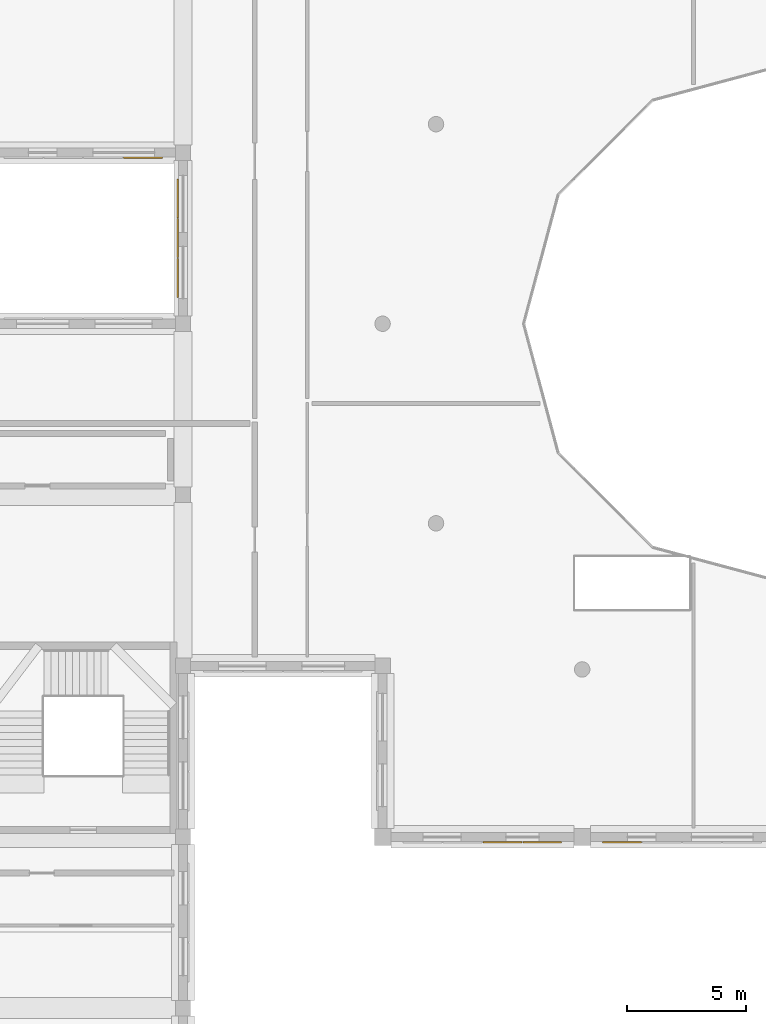
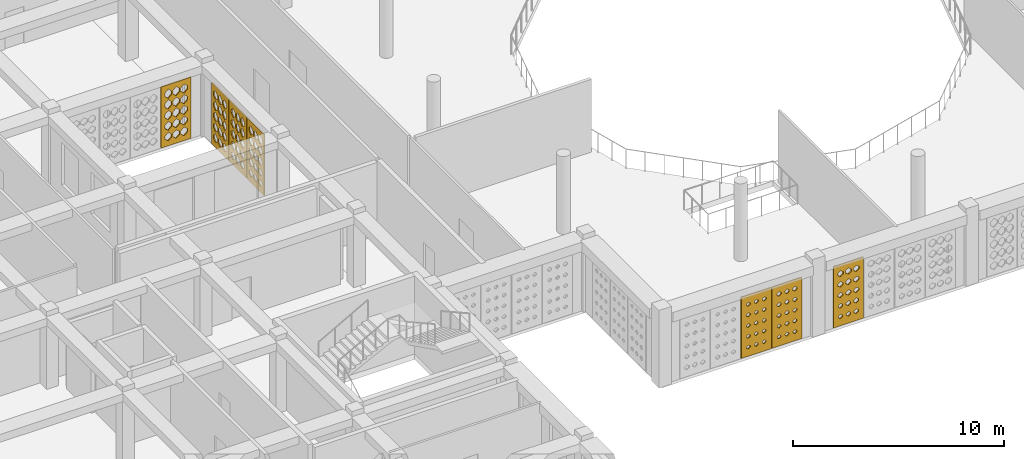
# One storey, part 34 of 47: 7 coverings.
"""IFC4 building model written with IfcOpenShell, lengths in metres."""

from ifc_helpers import new_model, si_unit, derived_unit, direction, frame, origin, place, context, subcontext, project, spatial, polyline, outline, extrude, material, layer, layer_set, type_object, element, save


model = new_model("IFC4")

# Units and contexts
model_context = context("Model", 3, precision=1e-05, world=origin(), true_north=direction((0.0, 1.0)))
body_context = subcontext(model_context, "Body", "Model", "MODEL_VIEW")
ifc_project = project(units=[si_unit("LENGTHUNIT", "METRE"), si_unit("AREAUNIT", "SQUARE_METRE"), si_unit("VOLUMEUNIT", "CUBIC_METRE"), si_unit("PLANEANGLEUNIT", "RADIAN"), si_unit("MASSUNIT", "GRAM", prefix="KILO"), derived_unit("THERMALTRANSMITTANCEUNIT", [(si_unit("POWERUNIT", "WATT"), 1), (si_unit("LENGTHUNIT", "METRE"), -2), (si_unit("THERMODYNAMICTEMPERATUREUNIT", "KELVIN"), -1)])], contexts=[model_context])

# Site, building, storey
site_placement = place(None, origin())
site = spatial("IfcSite", under=ifc_project, at=site_placement, CompositionType="ELEMENT")
building_placement = place(site_placement, origin())
building = spatial("IfcBuilding", under=site, at=building_placement, Name="Veybourne Emporium", CompositionType="ELEMENT")
storey_placement = place(building_placement, frame((0.0, 0.0, 23.39990234375)))
storey = spatial("IfcBuildingStorey", under=building, at=storey_placement, Name="L05", CompositionType="ELEMENT", Elevation=23.39990234375)

# Coverings
ifc_material = material(Name="Warm-White Perforated Aluminium Screen Alloy", Category="aluminium")
ifc_layer_1 = layer(ifc_material, 0.06005859375)
ifc_layer_set_1 = layer_set([ifc_layer_1], Name="Warm-White Perforated Aluminium Screen Alloy")
covering_type_1 = type_object("IfcCoveringType", Name="WaveScreen_SCR-01", PredefinedType="CLADDING", material=ifc_layer_set_1)
covering_1_placement = place(storey_placement, frame((50.15185546875, 55.679931640625, 1.830078125), z_axis=(1.0, 0.0, 0.0), x_axis=(0.0, 1.0, 0.0)))
element("IfcCovering", 1, at=covering_1_placement, inside=storey, type_object=covering_type_1, Name="L05 wave-perforated aluminium screen SCR-01 (36.3)", PredefinedType="CLADDING", context=body_context, shape_type="SweptSolid", body=[
    extrude(outline(polyline([(-0.81982421875, -1.77001953125), (0.81982421875, -1.77001953125), (0.81982421875, 1.77001953125), (-0.81982421875, 1.77001953125), (-0.81982421875, -1.77001953125)]), holes=[polyline([(-0.433349609375, -1.003662109375), (-0.2470703125, -1.15478515625), (-0.2470703125, -1.3251953125), (-0.433349609375, -1.476318359375), (-0.61962890625, -1.3251953125), (-0.61962890625, -1.15478515625), (-0.433349609375, -1.003662109375)]), polyline([(-0.433349609375, -0.372314453125), (-0.2470703125, -0.53076171875), (-0.2470703125, -0.709228515625), (-0.433349609375, -0.867919921875), (-0.61962890625, -0.709228515625), (-0.61962890625, -0.53076171875), (-0.433349609375, -0.372314453125)]), polyline([(-0.433349609375, 0.257568359375), (-0.2470703125, 0.0927734375), (-0.2470703125, -0.0927734375), (-0.433349609375, -0.257568359375), (-0.61962890625, -0.0927734375), (-0.61962890625, 0.0927734375), (-0.433349609375, 0.257568359375)]), polyline([(-0.433349609375, 0.885498046875), (-0.2470703125, 0.715576171875), (-0.2470703125, 0.5244140625), (-0.433349609375, 0.3544921875), (-0.61962890625, 0.5244140625), (-0.61962890625, 0.715576171875), (-0.433349609375, 0.885498046875)]), polyline([(-0.433349609375, 1.506591796875), (-0.2470703125, 1.3359375), (-0.2470703125, 1.14404296875), (-0.433349609375, 0.973388671875), (-0.61962890625, 1.14404296875), (-0.61962890625, 1.3359375), (-0.433349609375, 1.506591796875)]), polyline([(0.0, -0.998291015625), (0.186279296875, -1.153076171875), (0.186279296875, -1.326904296875), (0.0, -1.481689453125), (-0.186279296875, -1.326904296875), (-0.186279296875, -1.153076171875), (0.0, -0.998291015625)]), polyline([(0.0, -0.36767578125), (0.186279296875, -0.529052734375), (0.186279296875, -0.7109375), (0.0, -0.872314453125), (-0.186279296875, -0.7109375), (-0.186279296875, -0.529052734375), (0.0, -0.36767578125)]), polyline([(0.0, 0.26123046875), (0.186279296875, 0.093994140625), (0.186279296875, -0.093994140625), (0.0, -0.26123046875), (-0.186279296875, -0.093994140625), (-0.186279296875, 0.093994140625), (0.0, 0.26123046875)]), polyline([(0.0, 0.88671875), (0.186279296875, 0.716064453125), (0.186279296875, 0.52392578125), (0.0, 0.353515625), (-0.186279296875, 0.52392578125), (-0.186279296875, 0.716064453125), (0.0, 0.88671875)]), polyline([(0.0, 1.506591796875), (0.186279296875, 1.3359375), (0.186279296875, 1.14404296875), (0.0, 0.973388671875), (-0.186279296875, 1.14404296875), (-0.186279296875, 1.3359375), (0.0, 1.506591796875)]), polyline([(0.433349609375, -0.9931640625), (0.61962890625, -1.151123046875), (0.61962890625, -1.328857421875), (0.433349609375, -1.48681640625), (0.2470703125, -1.328857421875), (0.2470703125, -1.151123046875), (0.433349609375, -0.9931640625)]), polyline([(0.433349609375, -0.36328125), (0.61962890625, -0.527587890625), (0.61962890625, -0.71240234375), (0.433349609375, -0.876708984375), (0.2470703125, -0.71240234375), (0.2470703125, -0.527587890625), (0.433349609375, -0.36328125)]), polyline([(0.433349609375, 0.2646484375), (0.61962890625, 0.09521484375), (0.61962890625, -0.09521484375), (0.433349609375, -0.2646484375), (0.2470703125, -0.09521484375), (0.2470703125, 0.09521484375), (0.433349609375, 0.2646484375)]), polyline([(0.433349609375, 0.88671875), (0.61962890625, 0.716064453125), (0.61962890625, 0.52392578125), (0.433349609375, 0.353515625), (0.2470703125, 0.52392578125), (0.2470703125, 0.716064453125), (0.433349609375, 0.88671875)]), polyline([(0.433349609375, 1.506591796875), (0.61962890625, 1.3359375), (0.61962890625, 1.14404296875), (0.433349609375, 0.973388671875), (0.2470703125, 1.14404296875), (0.2470703125, 1.3359375), (0.433349609375, 1.506591796875)])]), origin(), (0.0, 0.0, 1.0), 0.06005859375),
])
covering_2_placement = place(storey_placement, frame((65.52001953125, 28.552001953125, 1.830078125), z_axis=(0.0, 1.0, 0.0), x_axis=(-1.0, 0.0, 0.0)))
element("IfcCovering", 2, at=covering_2_placement, inside=storey, type_object=covering_type_1, Name="L05 wave-perforated aluminium screen SCR-01 (38.1)", PredefinedType="CLADDING", context=body_context, shape_type="SweptSolid", body=[
    extrude(outline(polyline([(-0.81982421875, -1.77001953125), (0.81982421875, -1.77001953125), (0.81982421875, 1.77001953125), (-0.81982421875, 1.77001953125), (-0.81982421875, -1.77001953125)]), holes=[polyline([(-0.433349609375, -1.12890625), (-0.332275390625, -1.199951171875), (-0.332275390625, -1.280029296875), (-0.433349609375, -1.351318359375), (-0.5341796875, -1.280029296875), (-0.5341796875, -1.199951171875), (-0.433349609375, -1.12890625)]), polyline([(-0.433349609375, -0.505126953125), (-0.329345703125, -0.57861328125), (-0.329345703125, -0.661376953125), (-0.433349609375, -0.73486328125), (-0.537353515625, -0.661376953125), (-0.537353515625, -0.57861328125), (-0.433349609375, -0.505126953125)]), polyline([(-0.433349609375, 0.120849609375), (-0.324462890625, 0.04345703125), (-0.324462890625, -0.04345703125), (-0.433349609375, -0.120849609375), (-0.542236328125, -0.04345703125), (-0.542236328125, 0.04345703125), (-0.433349609375, 0.120849609375)]), polyline([(-0.433349609375, 0.7490234375), (-0.31787109375, 0.66650390625), (-0.31787109375, 0.573486328125), (-0.433349609375, 0.490966796875), (-0.548828125, 0.573486328125), (-0.548828125, 0.66650390625), (-0.433349609375, 0.7490234375)]), polyline([(-0.433349609375, 1.379150390625), (-0.3095703125, 1.2900390625), (-0.3095703125, 1.18994140625), (-0.433349609375, 1.100830078125), (-0.55712890625, 1.18994140625), (-0.55712890625, 1.2900390625), (-0.433349609375, 1.379150390625)]), polyline([(0.0, -1.129638671875), (0.100341796875, -1.2001953125), (0.100341796875, -1.27978515625), (0.0, -1.350341796875), (-0.100341796875, -1.27978515625), (-0.100341796875, -1.2001953125), (0.0, -1.129638671875)]), polyline([(0.0, -0.507080078125), (0.102294921875, -0.579345703125), (0.102294921875, -0.66064453125), (0.0, -0.73291015625), (-0.102294921875, -0.66064453125), (-0.102294921875, -0.579345703125), (0.0, -0.507080078125)]), polyline([(0.0, 0.117919921875), (0.1064453125, 0.04248046875), (0.1064453125, -0.04248046875), (0.0, -0.117919921875), (-0.1064453125, -0.04248046875), (-0.1064453125, 0.04248046875), (0.0, 0.117919921875)]), polyline([(0.0, 0.7451171875), (0.1123046875, 0.6650390625), (0.1123046875, 0.574951171875), (0.0, 0.494873046875), (-0.1123046875, 0.574951171875), (-0.1123046875, 0.6650390625), (0.0, 0.7451171875)]), polyline([(0.0, 1.374267578125), (0.119873046875, 1.288330078125), (0.119873046875, 1.191650390625), (0.0, 1.105712890625), (-0.119873046875, 1.191650390625), (-0.119873046875, 1.288330078125), (0.0, 1.374267578125)]), polyline([(0.433349609375, -1.1298828125), (0.533203125, -1.200439453125), (0.533203125, -1.279541015625), (0.433349609375, -1.35009765625), (0.333251953125, -1.279541015625), (0.333251953125, -1.200439453125), (0.433349609375, -1.1298828125)]), polyline([(0.433349609375, -0.508544921875), (0.534423828125, -0.579833984375), (0.534423828125, -0.66015625), (0.433349609375, -0.7314453125), (0.33203125, -0.66015625), (0.33203125, -0.579833984375), (0.433349609375, -0.508544921875)]), polyline([(0.433349609375, 0.115478515625), (0.53759765625, 0.04150390625), (0.53759765625, -0.04150390625), (0.433349609375, -0.115478515625), (0.328857421875, -0.04150390625), (0.328857421875, 0.04150390625), (0.433349609375, 0.115478515625)]), polyline([(0.433349609375, 0.74169921875), (0.542724609375, 0.663818359375), (0.542724609375, 0.576171875), (0.433349609375, 0.498291015625), (0.323974609375, 0.576171875), (0.323974609375, 0.663818359375), (0.433349609375, 0.74169921875)]), polyline([(0.433349609375, 1.369873046875), (0.549560546875, 1.286865234375), (0.549560546875, 1.193115234375), (0.433349609375, 1.110107421875), (0.31689453125, 1.193115234375), (0.31689453125, 1.286865234375), (0.433349609375, 1.369873046875)])]), origin(), (0.0, 0.0, 1.0), 0.06005859375),
])
ifc_layer_2 = layer(ifc_material, 0.06005859375)
ifc_layer_set_2 = layer_set([ifc_layer_2], Name="Warm-White Perforated Aluminium Screen Alloy")
covering_type_2 = type_object("IfcCoveringType", Name="WaveScreen_SCR-02", PredefinedType="CLADDING", material=ifc_layer_set_2)
covering_3_placement = place(storey_placement, frame((63.840087890625, 28.552001953125, 1.830078125), z_axis=(0.0, 1.0, 0.0), x_axis=(-1.0, 0.0, 0.0)))
element("IfcCovering", 3, at=covering_3_placement, inside=storey, type_object=covering_type_2, Name="L05 wave-perforated aluminium screen SCR-02 (38.2)", PredefinedType="CLADDING", context=body_context, shape_type="SweptSolid", body=[
    extrude(outline(polyline([(-0.81982421875, -1.77001953125), (0.81982421875, -1.77001953125), (0.81982421875, 1.77001953125), (-0.81982421875, 1.77001953125), (-0.81982421875, -1.77001953125)]), holes=[polyline([(-0.433349609375, -1.12939453125), (-0.332763671875, -1.2001953125), (-0.332763671875, -1.27978515625), (-0.433349609375, -1.3505859375), (-0.533935546875, -1.27978515625), (-0.533935546875, -1.2001953125), (-0.433349609375, -1.12939453125)]), polyline([(-0.433349609375, -0.510009765625), (-0.333251953125, -0.580322265625), (-0.333251953125, -0.65966796875), (-0.433349609375, -0.72998046875), (-0.533447265625, -0.65966796875), (-0.533447265625, -0.580322265625), (-0.433349609375, -0.510009765625)]), polyline([(-0.433349609375, 0.11181640625), (-0.331787109375, 0.040283203125), (-0.331787109375, -0.040283203125), (-0.433349609375, -0.11181640625), (-0.534912109375, -0.040283203125), (-0.534912109375, 0.040283203125), (-0.433349609375, 0.11181640625)]), polyline([(-0.433349609375, 0.736083984375), (-0.328369140625, 0.661865234375), (-0.328369140625, 0.578125), (-0.433349609375, 0.50390625), (-0.538330078125, 0.578125), (-0.538330078125, 0.661865234375), (-0.433349609375, 0.736083984375)]), polyline([(-0.433349609375, 1.36279296875), (-0.322998046875, 1.2841796875), (-0.322998046875, 1.19580078125), (-0.433349609375, 1.1171875), (-0.543701171875, 1.19580078125), (-0.543701171875, 1.2841796875), (-0.433349609375, 1.36279296875)]), polyline([(0.0, -1.128173828125), (0.1015625, -1.19970703125), (0.1015625, -1.2802734375), (0.0, -1.351806640625), (-0.1015625, -1.2802734375), (-0.1015625, -1.19970703125), (0.0, -1.128173828125)]), polyline([(0.0, -0.510009765625), (0.10009765625, -0.580322265625), (0.10009765625, -0.65966796875), (0.0, -0.72998046875), (-0.10009765625, -0.65966796875), (-0.10009765625, -0.580322265625), (0.0, -0.510009765625)]), polyline([(0.0, 0.11083984375), (0.1005859375, 0.039794921875), (0.1005859375, -0.039794921875), (0.0, -0.11083984375), (-0.1005859375, -0.039794921875), (-0.1005859375, 0.039794921875), (0.0, 0.11083984375)]), polyline([(0.0, 0.73388671875), (0.103271484375, 0.660888671875), (0.103271484375, 0.5791015625), (0.0, 0.506103515625), (-0.103271484375, 0.5791015625), (-0.103271484375, 0.660888671875), (0.0, 0.73388671875)]), polyline([(0.0, 1.359619140625), (0.10791015625, 1.282958984375), (0.10791015625, 1.197021484375), (0.0, 1.12060546875), (-0.10791015625, 1.197021484375), (-0.10791015625, 1.282958984375), (0.0, 1.359619140625)]), polyline([(0.433349609375, -1.126708984375), (0.5361328125, -1.19921875), (0.5361328125, -1.28076171875), (0.433349609375, -1.353515625), (0.33056640625, -1.28076171875), (0.33056640625, -1.19921875), (0.433349609375, -1.126708984375)]), polyline([(0.433349609375, -0.509521484375), (0.53369140625, -0.580078125), (0.53369140625, -0.659912109375), (0.433349609375, -0.73046875), (0.3330078125, -0.659912109375), (0.3330078125, -0.580078125), (0.433349609375, -0.509521484375)]), polyline([(0.433349609375, 0.110107421875), (0.533447265625, 0.039794921875), (0.533447265625, -0.039794921875), (0.433349609375, -0.110107421875), (0.333251953125, -0.039794921875), (0.333251953125, 0.039794921875), (0.433349609375, 0.110107421875)]), polyline([(0.433349609375, 0.732177734375), (0.53515625, 0.660400390625), (0.53515625, 0.57958984375), (0.433349609375, 0.5078125), (0.33154296875, 0.57958984375), (0.33154296875, 0.660400390625), (0.433349609375, 0.732177734375)]), polyline([(0.433349609375, 1.356689453125), (0.538818359375, 1.281982421875), (0.538818359375, 1.197998046875), (0.433349609375, 1.123291015625), (0.327880859375, 1.197998046875), (0.327880859375, 1.281982421875), (0.433349609375, 1.356689453125)])]), origin(), (0.0, 0.0, 1.0), 0.06005859375),
])
ifc_layer_3 = layer(ifc_material, 0.06005859375)
ifc_layer_set_3 = layer_set([ifc_layer_3], Name="Warm-White Perforated Aluminium Screen Alloy")
covering_type_3 = type_object("IfcCoveringType", Name="WaveScreen_SCR-03", PredefinedType="CLADDING", material=ifc_layer_set_3)
covering_4_placement = place(storey_placement, frame((50.15185546875, 52.320068359375, 1.830078125), z_axis=(1.0, 0.0, 0.0), x_axis=(0.0, 1.0, 0.0)))
element("IfcCovering", 4, at=covering_4_placement, inside=storey, type_object=covering_type_3, Name="L05 wave-perforated aluminium screen SCR-03 (36.1)", PredefinedType="CLADDING", context=body_context, shape_type="SweptSolid", body=[
    extrude(outline(polyline([(-0.81982421875, -1.77001953125), (0.81982421875, -1.77001953125), (0.81982421875, 1.77001953125), (-0.81982421875, 1.77001953125), (-0.81982421875, -1.77001953125)]), holes=[polyline([(-0.433349609375, -1.051025390625), (-0.268798828125, -1.172119140625), (-0.268798828125, -1.30810546875), (-0.433349609375, -1.428955078125), (-0.597900390625, -1.30810546875), (-0.597900390625, -1.172119140625), (-0.433349609375, -1.051025390625)]), polyline([(-0.433349609375, -0.416748046875), (-0.257080078125, -0.546875), (-0.257080078125, -0.693115234375), (-0.433349609375, -0.8232421875), (-0.609619140625, -0.693115234375), (-0.609619140625, -0.546875), (-0.433349609375, -0.416748046875)]), polyline([(-0.433349609375, 0.21728515625), (-0.2470703125, 0.078125), (-0.2470703125, -0.078125), (-0.433349609375, -0.21728515625), (-0.61962890625, -0.078125), (-0.61962890625, 0.078125), (-0.433349609375, 0.21728515625)]), polyline([(-0.433349609375, 0.850341796875), (-0.2470703125, 0.702880859375), (-0.2470703125, 0.537109375), (-0.433349609375, 0.3896484375), (-0.61962890625, 0.537109375), (-0.61962890625, 0.702880859375), (-0.433349609375, 0.850341796875)]), polyline([(-0.433349609375, 1.482421875), (-0.2470703125, 1.327392578125), (-0.2470703125, 1.152587890625), (-0.433349609375, 0.99755859375), (-0.61962890625, 1.152587890625), (-0.61962890625, 1.327392578125), (-0.433349609375, 1.482421875)]), polyline([(0.0, -1.044677734375), (0.169921875, -1.169677734375), (0.169921875, -1.310302734375), (0.0, -1.435302734375), (-0.169921875, -1.310302734375), (-0.169921875, -1.169677734375), (0.0, -1.044677734375)]), polyline([(0.0, -0.410400390625), (0.181396484375, -0.544677734375), (0.181396484375, -0.6953125), (0.0, -0.82958984375), (-0.181396484375, -0.6953125), (-0.181396484375, -0.544677734375), (0.0, -0.410400390625)]), polyline([(0.0, 0.223388671875), (0.186279296875, 0.080322265625), (0.186279296875, -0.080322265625), (0.0, -0.223388671875), (-0.186279296875, -0.080322265625), (-0.186279296875, 0.080322265625), (0.0, 0.223388671875)]), polyline([(0.0, 0.85595703125), (0.186279296875, 0.705078125), (0.186279296875, 0.534912109375), (0.0, 0.384033203125), (-0.186279296875, 0.534912109375), (-0.186279296875, 0.705078125), (0.0, 0.85595703125)]), polyline([(0.0, 1.487548828125), (0.186279296875, 1.3291015625), (0.186279296875, 1.15087890625), (0.0, 0.992431640625), (-0.186279296875, 1.15087890625), (-0.186279296875, 1.3291015625), (0.0, 1.487548828125)]), polyline([(0.433349609375, -1.0380859375), (0.6083984375, -1.16748046875), (0.6083984375, -1.3125), (0.433349609375, -1.44189453125), (0.25830078125, -1.3125), (0.25830078125, -1.16748046875), (0.433349609375, -1.0380859375)]), polyline([(0.433349609375, -0.404296875), (0.61962890625, -0.542236328125), (0.61962890625, -0.69775390625), (0.433349609375, -0.835693359375), (0.2470703125, -0.69775390625), (0.2470703125, -0.542236328125), (0.433349609375, -0.404296875)]), polyline([(0.433349609375, 0.22900390625), (0.61962890625, 0.08251953125), (0.61962890625, -0.08251953125), (0.433349609375, -0.22900390625), (0.2470703125, -0.08251953125), (0.2470703125, 0.08251953125), (0.433349609375, 0.22900390625)]), polyline([(0.433349609375, 0.861328125), (0.61962890625, 0.706787109375), (0.61962890625, 0.533203125), (0.433349609375, 0.378662109375), (0.2470703125, 0.533203125), (0.2470703125, 0.706787109375), (0.433349609375, 0.861328125)]), polyline([(0.433349609375, 1.4921875), (0.61962890625, 1.330810546875), (0.61962890625, 1.149169921875), (0.433349609375, 0.98779296875), (0.2470703125, 1.149169921875), (0.2470703125, 1.330810546875), (0.433349609375, 1.4921875)])]), origin(), (0.0, 0.0, 1.0), 0.06005859375),
])
covering_5_placement = place(storey_placement, frame((68.8798828125, 28.552001953125, 1.830078125), z_axis=(0.0, 1.0, 0.0), x_axis=(-1.0, 0.0, 0.0)))
element("IfcCovering", 5, at=covering_5_placement, inside=storey, type_object=covering_type_3, Name="L05 wave-perforated aluminium screen SCR-03 (41.4)", PredefinedType="CLADDING", context=body_context, shape_type="SweptSolid", body=[
    extrude(outline(polyline([(-0.81982421875, -1.77001953125), (0.81982421875, -1.77001953125), (0.81982421875, 1.77001953125), (-0.81982421875, 1.77001953125), (-0.81982421875, -1.77001953125)]), holes=[polyline([(-0.433349609375, -1.1064453125), (-0.31396484375, -1.19189453125), (-0.31396484375, -1.2880859375), (-0.433349609375, -1.37353515625), (-0.552734375, -1.2880859375), (-0.552734375, -1.19189453125), (-0.433349609375, -1.1064453125)]), polyline([(-0.433349609375, -0.4755859375), (-0.30517578125, -0.568115234375), (-0.30517578125, -0.672119140625), (-0.433349609375, -0.764404296875), (-0.5615234375, -0.672119140625), (-0.5615234375, -0.568115234375), (-0.433349609375, -0.4755859375)]), polyline([(-0.433349609375, 0.15673828125), (-0.294921875, 0.056396484375), (-0.294921875, -0.056396484375), (-0.433349609375, -0.15673828125), (-0.571533203125, -0.056396484375), (-0.571533203125, 0.056396484375), (-0.433349609375, 0.15673828125)]), polyline([(-0.433349609375, 0.790283203125), (-0.2841796875, 0.681396484375), (-0.2841796875, 0.55859375), (-0.433349609375, 0.44970703125), (-0.58251953125, 0.55859375), (-0.58251953125, 0.681396484375), (-0.433349609375, 0.790283203125)]), polyline([(-0.433349609375, 1.42431640625), (-0.272705078125, 1.306396484375), (-0.272705078125, 1.173583984375), (-0.433349609375, 1.0556640625), (-0.593994140625, 1.173583984375), (-0.593994140625, 1.306396484375), (-0.433349609375, 1.42431640625)]), polyline([(0.0, -1.110595703125), (0.11572265625, -1.193359375), (0.11572265625, -1.28662109375), (0.0, -1.369384765625), (-0.11572265625, -1.28662109375), (-0.11572265625, -1.193359375), (0.0, -1.110595703125)]), polyline([(0.0, -0.480712890625), (0.1240234375, -0.56982421875), (0.1240234375, -0.670166015625), (0.0, -0.759521484375), (-0.1240234375, -0.670166015625), (-0.1240234375, -0.56982421875), (0.0, -0.480712890625)]), polyline([(0.0, 0.151123046875), (0.1337890625, 0.054443359375), (0.1337890625, -0.054443359375), (0.0, -0.151123046875), (-0.1337890625, -0.054443359375), (-0.1337890625, 0.054443359375), (0.0, 0.151123046875)]), polyline([(0.0, 0.7841796875), (0.144287109375, 0.67919921875), (0.144287109375, 0.560791015625), (0.0, 0.455810546875), (-0.144287109375, 0.560791015625), (-0.144287109375, 0.67919921875), (0.0, 0.7841796875)]), polyline([(0.0, 1.41796875), (0.155517578125, 1.303955078125), (0.155517578125, 1.176025390625), (0.0, 1.06201171875), (-0.155517578125, 1.176025390625), (-0.155517578125, 1.303955078125), (0.0, 1.41796875)]), polyline([(0.433349609375, -1.114501953125), (0.5458984375, -1.19482421875), (0.5458984375, -1.28515625), (0.433349609375, -1.365478515625), (0.32080078125, -1.28515625), (0.32080078125, -1.19482421875), (0.433349609375, -1.114501953125)]), polyline([(0.433349609375, -0.4853515625), (0.553466796875, -0.571533203125), (0.553466796875, -0.66845703125), (0.433349609375, -0.754638671875), (0.31298828125, -0.66845703125), (0.31298828125, -0.571533203125), (0.433349609375, -0.4853515625)]), polyline([(0.433349609375, 0.145751953125), (0.5625, 0.052490234375), (0.5625, -0.052490234375), (0.433349609375, -0.145751953125), (0.30419921875, -0.052490234375), (0.30419921875, 0.052490234375), (0.433349609375, 0.145751953125)]), polyline([(0.433349609375, 0.778076171875), (0.57275390625, 0.677001953125), (0.57275390625, 0.56298828125), (0.433349609375, 0.4619140625), (0.2939453125, 0.56298828125), (0.2939453125, 0.677001953125), (0.433349609375, 0.778076171875)]), polyline([(0.433349609375, 1.41162109375), (0.583740234375, 1.3017578125), (0.583740234375, 1.17822265625), (0.433349609375, 1.068359375), (0.282958984375, 1.17822265625), (0.282958984375, 1.3017578125), (0.433349609375, 1.41162109375)])]), origin(), (0.0, 0.0, 1.0), 0.06005859375),
])
ifc_layer_4 = layer(ifc_material, 0.06005859375)
ifc_layer_set_4 = layer_set([ifc_layer_4], Name="Warm-White Perforated Aluminium Screen Alloy")
covering_type_4 = type_object("IfcCoveringType", Name="WaveScreen_SCR-04", PredefinedType="CLADDING", material=ifc_layer_set_4)
covering_6_placement = place(storey_placement, frame((48.719970703125, 57.35205078125, 1.830078125), z_axis=(0.0, 1.0, 0.0), x_axis=(-1.0, 0.0, 0.0)))
element("IfcCovering", 6, at=covering_6_placement, inside=storey, type_object=covering_type_4, Name="L05 wave-perforated aluminium screen SCR-04 (33.1)", PredefinedType="CLADDING", context=body_context, shape_type="SweptSolid", body=[
    extrude(outline(polyline([(-0.81982421875, -1.77001953125), (0.81982421875, -1.77001953125), (0.81982421875, 1.77001953125), (-0.81982421875, 1.77001953125), (-0.81982421875, -1.77001953125)]), holes=[polyline([(-0.433349609375, -0.990478515625), (-0.2470703125, -1.150146484375), (-0.2470703125, -1.329833984375), (-0.433349609375, -1.489501953125), (-0.61962890625, -1.329833984375), (-0.61962890625, -1.150146484375), (-0.433349609375, -0.990478515625)]), polyline([(-0.433349609375, -0.361083984375), (-0.2470703125, -0.52685546875), (-0.2470703125, -0.713134765625), (-0.433349609375, -0.87890625), (-0.61962890625, -0.713134765625), (-0.61962890625, -0.52685546875), (-0.433349609375, -0.361083984375)]), polyline([(-0.433349609375, 0.266357421875), (-0.2470703125, 0.095947265625), (-0.2470703125, -0.095947265625), (-0.433349609375, -0.266357421875), (-0.61962890625, -0.095947265625), (-0.61962890625, 0.095947265625), (-0.433349609375, 0.266357421875)]), polyline([(-0.433349609375, 0.88671875), (-0.2470703125, 0.716064453125), (-0.2470703125, 0.52392578125), (-0.433349609375, 0.353515625), (-0.61962890625, 0.52392578125), (-0.61962890625, 0.716064453125), (-0.433349609375, 0.88671875)]), polyline([(-0.433349609375, 1.506591796875), (-0.2470703125, 1.3359375), (-0.2470703125, 1.14404296875), (-0.433349609375, 0.973388671875), (-0.61962890625, 1.14404296875), (-0.61962890625, 1.3359375), (-0.433349609375, 1.506591796875)]), polyline([(0.0, -0.995361328125), (0.186279296875, -1.152099609375), (0.186279296875, -1.327880859375), (0.0, -1.484619140625), (-0.186279296875, -1.327880859375), (-0.186279296875, -1.152099609375), (0.0, -0.995361328125)]), polyline([(0.0, -0.365234375), (0.186279296875, -0.5283203125), (0.186279296875, -0.711669921875), (0.0, -0.874755859375), (-0.186279296875, -0.711669921875), (-0.186279296875, -0.5283203125), (0.0, -0.365234375)]), polyline([(0.0, 0.26318359375), (0.186279296875, 0.0947265625), (0.186279296875, -0.0947265625), (0.0, -0.26318359375), (-0.186279296875, -0.0947265625), (-0.186279296875, 0.0947265625), (0.0, 0.26318359375)]), polyline([(0.0, 0.88671875), (0.186279296875, 0.716064453125), (0.186279296875, 0.52392578125), (0.0, 0.353515625), (-0.186279296875, 0.52392578125), (-0.186279296875, 0.716064453125), (0.0, 0.88671875)]), polyline([(0.0, 1.506591796875), (0.186279296875, 1.3359375), (0.186279296875, 1.14404296875), (0.0, 0.973388671875), (-0.186279296875, 1.14404296875), (-0.186279296875, 1.3359375), (0.0, 1.506591796875)]), polyline([(0.433349609375, -1.00048828125), (0.61962890625, -1.15380859375), (0.61962890625, -1.326171875), (0.433349609375, -1.4794921875), (0.2470703125, -1.326171875), (0.2470703125, -1.15380859375), (0.433349609375, -1.00048828125)]), polyline([(0.433349609375, -0.36962890625), (0.61962890625, -0.52978515625), (0.61962890625, -0.710205078125), (0.433349609375, -0.870361328125), (0.2470703125, -0.710205078125), (0.2470703125, -0.52978515625), (0.433349609375, -0.36962890625)]), polyline([(0.433349609375, 0.259765625), (0.61962890625, 0.093505859375), (0.61962890625, -0.093505859375), (0.433349609375, -0.259765625), (0.2470703125, -0.093505859375), (0.2470703125, 0.093505859375), (0.433349609375, 0.259765625)]), polyline([(0.433349609375, 0.88671875), (0.61962890625, 0.716064453125), (0.61962890625, 0.52392578125), (0.433349609375, 0.353515625), (0.2470703125, 0.52392578125), (0.2470703125, 0.716064453125), (0.433349609375, 0.88671875)]), polyline([(0.433349609375, 1.506591796875), (0.61962890625, 1.3359375), (0.61962890625, 1.14404296875), (0.433349609375, 0.973388671875), (0.2470703125, 1.14404296875), (0.2470703125, 1.3359375), (0.433349609375, 1.506591796875)])]), origin(), (0.0, 0.0, 1.0), 0.06005859375),
])
covering_7_placement = place(storey_placement, frame((50.15185546875, 54.0, 1.830078125), z_axis=(1.0, 0.0, 0.0), x_axis=(0.0, 1.0, 0.0)))
element("IfcCovering", 7, at=covering_7_placement, inside=storey, type_object=covering_type_4, Name="L05 wave-perforated aluminium screen SCR-04 (36.2)", PredefinedType="CLADDING", context=body_context, shape_type="SweptSolid", body=[
    extrude(outline(polyline([(-0.81982421875, -1.77001953125), (0.81982421875, -1.77001953125), (0.81982421875, 1.77001953125), (-0.81982421875, 1.77001953125), (-0.81982421875, -1.77001953125)]), holes=[polyline([(-0.433349609375, -1.0263671875), (-0.24853515625, -1.1630859375), (-0.24853515625, -1.31689453125), (-0.433349609375, -1.45361328125), (-0.6181640625, -1.31689453125), (-0.6181640625, -1.1630859375), (-0.433349609375, -1.0263671875)]), polyline([(-0.433349609375, -0.392822265625), (-0.2470703125, -0.5380859375), (-0.2470703125, -0.701904296875), (-0.433349609375, -0.84716796875), (-0.61962890625, -0.701904296875), (-0.61962890625, -0.5380859375), (-0.433349609375, -0.392822265625)]), polyline([(-0.433349609375, 0.239501953125), (-0.2470703125, 0.086181640625), (-0.2470703125, -0.086181640625), (-0.433349609375, -0.239501953125), (-0.61962890625, -0.086181640625), (-0.61962890625, 0.086181640625), (-0.433349609375, 0.239501953125)]), polyline([(-0.433349609375, 0.87060546875), (-0.2470703125, 0.710205078125), (-0.2470703125, 0.52978515625), (-0.433349609375, 0.369384765625), (-0.61962890625, 0.52978515625), (-0.61962890625, 0.710205078125), (-0.433349609375, 0.87060546875)]), polyline([(-0.433349609375, 1.499755859375), (-0.2470703125, 1.33349609375), (-0.2470703125, 1.146484375), (-0.433349609375, 0.980224609375), (-0.61962890625, 1.146484375), (-0.61962890625, 1.33349609375), (-0.433349609375, 1.499755859375)]), polyline([(0.0, -1.020263671875), (0.186279296875, -1.160888671875), (0.186279296875, -1.319091796875), (0.0, -1.459716796875), (-0.186279296875, -1.319091796875), (-0.186279296875, -1.160888671875), (0.0, -1.020263671875)]), polyline([(0.0, -0.38720703125), (0.186279296875, -0.5361328125), (0.186279296875, -0.703857421875), (0.0, -0.852783203125), (-0.186279296875, -0.703857421875), (-0.186279296875, -0.5361328125), (0.0, -0.38720703125)]), polyline([(0.0, 0.24462890625), (0.186279296875, 0.088134765625), (0.186279296875, -0.088134765625), (0.0, -0.24462890625), (-0.186279296875, -0.088134765625), (-0.186279296875, 0.088134765625), (0.0, 0.24462890625)]), polyline([(0.0, 0.875), (0.186279296875, 0.7119140625), (0.186279296875, 0.5283203125), (0.0, 0.364990234375), (-0.186279296875, 0.5283203125), (-0.186279296875, 0.7119140625), (0.0, 0.875)]), polyline([(0.0, 1.50341796875), (0.186279296875, 1.334716796875), (0.186279296875, 1.145263671875), (0.0, 0.976806640625), (-0.186279296875, 1.145263671875), (-0.186279296875, 1.334716796875), (0.0, 1.50341796875)]), polyline([(0.433349609375, -1.01416015625), (0.61962890625, -1.15869140625), (0.61962890625, -1.3212890625), (0.433349609375, -1.4658203125), (0.2470703125, -1.3212890625), (0.2470703125, -1.15869140625), (0.433349609375, -1.01416015625)]), polyline([(0.433349609375, -0.381591796875), (0.61962890625, -0.5341796875), (0.61962890625, -0.705810546875), (0.433349609375, -0.8583984375), (0.2470703125, -0.705810546875), (0.2470703125, -0.5341796875), (0.433349609375, -0.381591796875)]), polyline([(0.433349609375, 0.24951171875), (0.61962890625, 0.08984375), (0.61962890625, -0.08984375), (0.433349609375, -0.24951171875), (0.2470703125, -0.08984375), (0.2470703125, 0.08984375), (0.433349609375, 0.24951171875)]), polyline([(0.433349609375, 0.87890625), (0.61962890625, 0.713134765625), (0.61962890625, 0.52685546875), (0.433349609375, 0.361083984375), (0.2470703125, 0.52685546875), (0.2470703125, 0.713134765625), (0.433349609375, 0.87890625)]), polyline([(0.433349609375, 1.50634765625), (0.61962890625, 1.3359375), (0.61962890625, 1.14404296875), (0.433349609375, 0.9736328125), (0.2470703125, 1.14404296875), (0.2470703125, 1.3359375), (0.433349609375, 1.50634765625)])]), origin(), (0.0, 0.0, 1.0), 0.06005859375),
])

save(model, "model.ifc")
